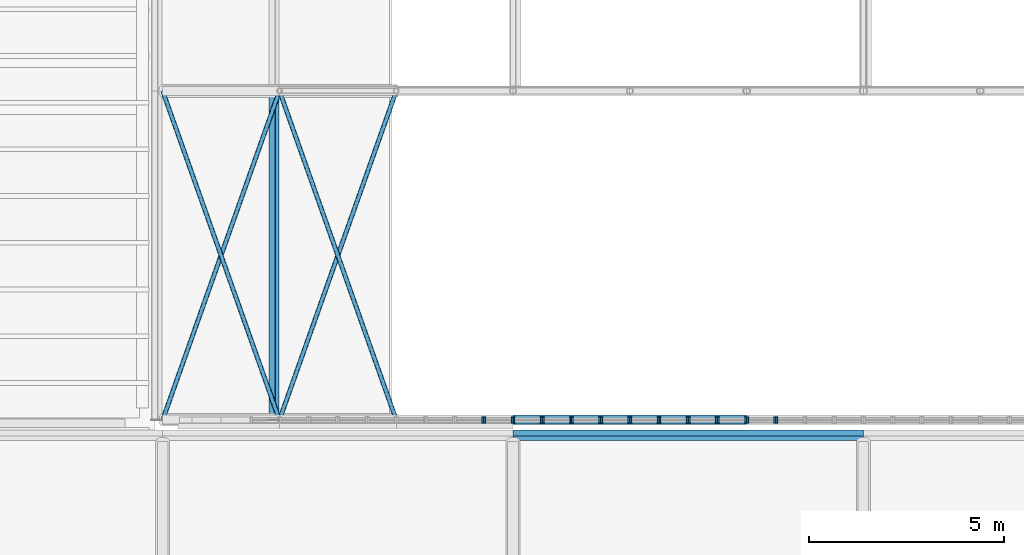
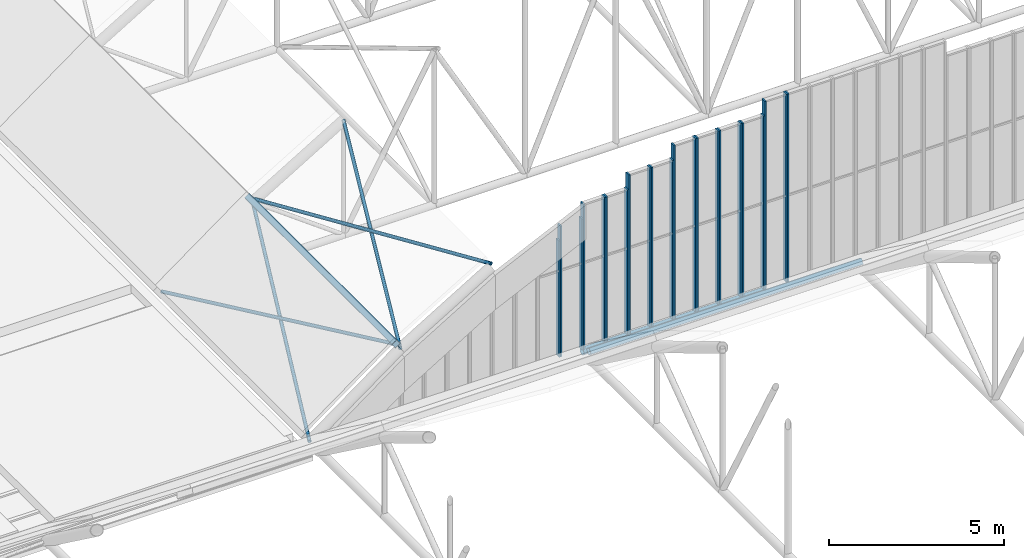
# One storey, part 67 of 153: 30 members, 12 elements without a shape of their own.
"""IFC4 building model written with IfcOpenShell, lengths in metres."""

import ifcopenshell
import ifcopenshell.guid

model = None  # the IFC model being written
_history = None  # IfcOwnerHistory: only IFC2X3 demands one
_inside = {}  # id of a spatial element -> (the spatial element, [elements in it])
_under = {}  # id of a project, library or spatial element -> (it, [spatial elements below it])
_declared = {}  # id of a project -> (the project, [libraries it declares])
_typed = {}  # id of a type object -> (the type object, [elements of that type])
_made_of = {}  # id of a material, layer set ... -> (it, [elements and type objects made of it])


def new_model(schema):
    """Start an empty IFC model of exactly this schema.

    Asked for "IFC4X3", IfcOpenShell would pick the latest addendum, in which some entities
    have other attributes; the version numbers below select the first issue.
    IFC2X3 requires an IfcOwnerHistory on every rooted entity: one is made here for all.
    """
    global model, _history
    if schema == "IFC4X3":
        model = ifcopenshell.file(schema_version=(4, 3, 0, 0))
    else:
        model = ifcopenshell.file(schema=schema)
    _inside.clear()
    _under.clear()
    _declared.clear()
    _typed.clear()
    _made_of.clear()
    _history = None
    if model.schema == "IFC2X3":
        org = make("IfcOrganization", Name="unknown")
        user = make(
            "IfcPersonAndOrganization",
            ThePerson=make("IfcPerson", FamilyName="unknown"),
            TheOrganization=org,
        )
        app = make(
            "IfcApplication",
            ApplicationDeveloper=org,
            Version="unknown",
            ApplicationFullName="unknown",
            ApplicationIdentifier="unknown",
        )
        _history = make(
            "IfcOwnerHistory",
            OwningUser=user,
            OwningApplication=app,
            ChangeAction="ADDED",
            CreationDate=0,
        )
    return model


def make(cls, **values):
    """One entity of the class cls with the attributes given. An attribute that is None is left unset."""
    return model.create_entity(
        cls, **{name: value for name, value in values.items() if value is not None}
    )


def rooted(cls, **values):
    """An entity with a GlobalId (a new one), such as an element, a storey or a relation."""
    return make(cls, GlobalId=ifcopenshell.guid.new(), OwnerHistory=_history, **values)


def si_unit(unit_type, name, prefix=None):
    """IfcSIUnit, for example si_unit("LENGTHUNIT", "METRE", prefix="MILLI")."""
    return make("IfcSIUnit", UnitType=unit_type, Prefix=prefix, Name=name)


def assignment(units):
    """IfcUnitAssignment: the units of a project."""
    return None if units is None else make("IfcUnitAssignment", Units=units)


def point(xyz):
    """IfcCartesianPoint."""
    return None if xyz is None else make("IfcCartesianPoint", Coordinates=xyz)


def direction(xyz):
    """IfcDirection."""
    return None if xyz is None else make("IfcDirection", DirectionRatios=xyz)


def frame(location, z_axis=None, x_axis=None):
    """IfcAxis2Placement3D, a coordinate frame: its origin and axes. An axis left out is left unset."""
    return make(
        "IfcAxis2Placement3D",
        Location=point(location),
        Axis=direction(z_axis),
        RefDirection=direction(x_axis),
    )


def frame_2d(location, x_axis=None):
    """IfcAxis2Placement2D, a coordinate frame in the plane: its origin and x axis."""
    return make(
        "IfcAxis2Placement2D", Location=point(location), RefDirection=direction(x_axis)
    )


def origin():
    """The frame at (0, 0, 0) with its axes left unset."""
    return frame((0.0, 0.0, 0.0))


def origin_2d():
    """The frame at (0, 0) in the plane with its x axis left unset."""
    return frame_2d((0.0, 0.0))


def place(relative_to, where):
    """IfcLocalPlacement: puts the frame where relative to a parent placement (None: the world)."""
    return make(
        "IfcLocalPlacement", PlacementRelTo=relative_to, RelativePlacement=where
    )


def context(
    kind, dimensions, precision=None, world=None, true_north=None, identifier=None
):
    """IfcGeometricRepresentationContext, for example the 3D "Model" context."""
    return make(
        "IfcGeometricRepresentationContext",
        ContextIdentifier=identifier,
        ContextType=kind,
        CoordinateSpaceDimension=dimensions,
        Precision=precision,
        WorldCoordinateSystem=world,
        TrueNorth=true_north,
    )


def subcontext(parent, identifier, kind, view, scale=None):
    """IfcGeometricRepresentationSubContext, for example "Body" below "Model"."""
    return make(
        "IfcGeometricRepresentationSubContext",
        ContextIdentifier=identifier,
        ContextType=kind,
        ParentContext=parent,
        TargetScale=scale,
        TargetView=view,
    )


def project(units=None, contexts=None):
    """IfcProject with its units and contexts."""
    return rooted(
        "IfcProject",
        Name="project",
        RepresentationContexts=contexts,
        UnitsInContext=assignment(units),
    )


def spatial(cls, under=None, at=None, **own):
    """A site, building, storey or space (cls), placed at a placement, below another one or the project."""
    s = rooted(cls, ObjectPlacement=at, **own)
    if under is not None:
        _under.setdefault(under.id(), (under, []))[1].append(s)
    return s


def profile(cls, at=None, kind="AREA", **sizes):
    """A parametric profile (cls). Its sizes go by their IFC names, for example OverallWidth=200.0."""
    return make(cls, ProfileType=kind, Position=at, **sizes)


def rectangle(**sizes):
    """IfcRectangleProfileDef."""
    return profile("IfcRectangleProfileDef", **sizes)


def hollow_rectangle(**sizes):
    """IfcRectangleHollowProfileDef."""
    return profile("IfcRectangleHollowProfileDef", **sizes)


def hollow_circle(**sizes):
    """IfcCircleHollowProfileDef."""
    return profile("IfcCircleHollowProfileDef", **sizes)


def extrude(swept, where, along, depth):
    """IfcExtrudedAreaSolid: the profile swept, set in the frame where, extruded along a direction by depth."""
    return make(
        "IfcExtrudedAreaSolid",
        SweptArea=swept,
        Position=where,
        ExtrudedDirection=direction(along),
        Depth=depth,
    )


def shape(context_of_items, identifier, shape_type, items):
    """IfcShapeRepresentation: the items that make up one representation, for example the "Body"."""
    return make(
        "IfcShapeRepresentation",
        ContextOfItems=context_of_items,
        RepresentationIdentifier=identifier,
        RepresentationType=shape_type,
        Items=items,
    )


def material(Name=None, Category=None):
    """IfcMaterial."""
    return make("IfcMaterial", Name=Name, Category=Category)


def material_profile(
    of_material, cross_section, Name=None, Category=None, Priority=None
):
    """IfcMaterialProfile: a cross section and its material."""
    return make(
        "IfcMaterialProfile",
        Name=Name,
        Material=of_material,
        Profile=cross_section,
        Priority=Priority,
        Category=Category,
    )


def profile_set(profiles, Name=None, composite=None):
    """IfcMaterialProfileSet."""
    return make(
        "IfcMaterialProfileSet",
        Name=Name,
        MaterialProfiles=profiles,
        CompositeProfile=composite,
    )


def made_of(thing, what):
    """Note that an element or type object is made of a material, layer set ...; save() writes the relation."""
    if what is not None:
        _made_of.setdefault(what.id(), (what, []))[1].append(thing)
    return thing


def type_object(cls, material=None, **own):
    """A type object (cls), such as IfcWallType, which elements share."""
    return made_of(rooted(cls, **own), material)


def element(
    cls,
    number,
    at=None,
    inside=None,
    cuts=None,
    type_object=None,
    material=None,
    context=None,
    identifier="Body",
    shape_type=None,
    held_by="IfcProductDefinitionShape",
    body=None,
    shapes=None,
    **own,
):
    """One element of the class cls, such as IfcWall. Its Tag is "e" and its number.

    at: its placement. inside: the storey or other place that contains it. cuts: it is an
    opening in that element (IfcRelVoidsElement). A single representation is given by context,
    identifier, shape_type and body (its items); several are given by shapes. held_by: the class
    of the entity that holds the representations. save() writes the other relations.
    """
    e = rooted(cls, Tag="e%d" % number, ObjectPlacement=at, **own)
    if body is not None:
        shapes = [shape(context, identifier, shape_type, body)]
    if shapes is not None:
        e.Representation = make(held_by, Representations=shapes)
    if inside is not None:
        _inside.setdefault(inside.id(), (inside, []))[1].append(e)
    if cuts is not None:
        rooted(
            "IfcRelVoidsElement", RelatingBuildingElement=cuts, RelatedOpeningElement=e
        )
    if type_object is not None:
        _typed.setdefault(type_object.id(), (type_object, []))[1].append(e)
    return made_of(e, material)


def aggregate(whole, parts):
    """IfcRelAggregates: a whole, such as a stair, and the parts it consists of."""
    return rooted("IfcRelAggregates", RelatingObject=whole, RelatedObjects=parts)


def save(model, path):
    """Write the relations noted so far, then the file.

    IfcRelAggregates (storeys below a building ...), IfcRelContainedInSpatialStructure (elements
    in a storey), IfcRelDefinesByType, IfcRelAssociatesMaterial and IfcRelDeclares: one each for
    every whole, place, type object, material and project.
    """
    for whole, parts in _under.values():
        aggregate(whole, parts)
    for where, things in _inside.values():
        rooted(
            "IfcRelContainedInSpatialStructure",
            RelatedElements=things,
            RelatingStructure=where,
        )
    for kind, things in _typed.values():
        rooted("IfcRelDefinesByType", RelatedObjects=things, RelatingType=kind)
    for what, things in _made_of.values():
        rooted("IfcRelAssociatesMaterial", RelatedObjects=things, RelatingMaterial=what)
    for by, libraries in _declared.values():
        rooted("IfcRelDeclares", RelatingContext=by, RelatedDefinitions=libraries)
    model.write(path)


model = new_model("IFC4")

# Units and contexts
model_context = context("Model", 3, precision=1e-05, world=origin(), true_north=direction((0.0, 1.0)))
body_context = subcontext(model_context, "Body", "Model", "MODEL_VIEW")
ifc_project = project(units=[si_unit("LENGTHUNIT", "METRE"), si_unit("AREAUNIT", "SQUARE_METRE"), si_unit("VOLUMEUNIT", "CUBIC_METRE"), si_unit("PLANEANGLEUNIT", "RADIAN"), si_unit("MASSUNIT", "GRAM", prefix="KILO")], contexts=[model_context])

# Site, building, storey
site_placement = place(None, origin())
site = spatial("IfcSite", under=ifc_project, at=site_placement, CompositionType="ELEMENT")
building_placement = place(site_placement, origin())
building = spatial("IfcBuilding", under=site, at=building_placement, Name="Baradari Gate Terminus", CompositionType="ELEMENT")
storey_placement = place(building_placement, frame((0.0, 0.0, 11.699951171875)))
storey = spatial("IfcBuildingStorey", under=building, at=storey_placement, Name="L02", CompositionType="ELEMENT", Elevation=11.699951171875)

# Curtain wall, member
ifc_material_1 = material(Name="Aluminium 6063-T6", Category="aluminium")
curtain_wall_type = type_object("IfcCurtainWallType", Name="Curtain wall CW-60 hall gable glazing", PredefinedType="NOTDEFINED", material=ifc_material_1)
curtain_wall_1_placement = place(storey_placement, origin())
curtain_wall_1 = element("IfcCurtainWall", 1, at=curtain_wall_1_placement, inside=storey, type_object=curtain_wall_type, Name="Hall gable glazing S11", PredefinedType="NOTDEFINED")
ifc_material_2 = material(Name="Aluminium 6063-T6", Category="aluminium")
ifc_material_profile_1 = material_profile(ifc_material_2, rectangle(XDim=0.175048828125, YDim=0.050048828125, at=origin_2d()), Name="CM-60 50X175")
ifc_profile_set_1 = profile_set([ifc_material_profile_1], Name="Aluminium 6063-T6")
member_type_1 = type_object("IfcMemberType", Name="Curtain wall mullion CM-60 50x175", PredefinedType="MULLION", material=ifc_profile_set_1)
member_1_placement = place(storey_placement, frame((143.22509765625, 81.550048828125, 0.234619140625), z_axis=(0.0, 0.0, 1.0), x_axis=(0.0, 1.0, 0.0)))
member_1 = element("IfcMember", 2, at=member_1_placement, type_object=member_type_1, Name="CW-60 mullion 2", PredefinedType="MULLION", context=body_context, shape_type="SweptSolid", body=[
    extrude(rectangle(XDim=0.175048828125, YDim=0.050048828125, at=origin_2d()), origin(), (0.0, 0.0, 1.0), 4.0654296875),
])
aggregate(curtain_wall_1, [member_1])

# Curtain wall, members
curtain_wall_2_placement = place(storey_placement, origin())
curtain_wall_2 = element("IfcCurtainWall", 3, at=curtain_wall_2_placement, inside=storey, type_object=curtain_wall_type, Name="Hall gable glazing S12", PredefinedType="NOTDEFINED")
member_2_placement = place(storey_placement, frame((143.27490234375, 81.550048828125, 0.234619140625), z_axis=(0.0, 0.0, 1.0), x_axis=(0.0, 1.0, 0.0)))
member_2 = element("IfcMember", 4, at=member_2_placement, type_object=member_type_1, Name="CW-60 mullion 1", PredefinedType="MULLION", context=body_context, shape_type="SweptSolid", body=[
    extrude(rectangle(XDim=0.175048828125, YDim=0.050048828125, at=origin_2d()), origin(), (0.0, 0.0, 1.0), 4.5654296875),
])
member_3_placement = place(storey_placement, frame((143.97509765625, 81.550048828125, 0.234619140625), z_axis=(0.0, 0.0, 1.0), x_axis=(0.0, 1.0, 0.0)))
member_3 = element("IfcMember", 5, at=member_3_placement, type_object=member_type_1, Name="CW-60 mullion 2", PredefinedType="MULLION", context=body_context, shape_type="SweptSolid", body=[
    extrude(rectangle(XDim=0.175048828125, YDim=0.050048828125, at=origin_2d()), origin(), (0.0, 0.0, 1.0), 4.5654296875),
])
aggregate(curtain_wall_2, [member_2, member_3])

curtain_wall_3_placement = place(storey_placement, origin())
curtain_wall_3 = element("IfcCurtainWall", 6, at=curtain_wall_3_placement, inside=storey, type_object=curtain_wall_type, Name="Hall gable glazing S13", PredefinedType="NOTDEFINED")
member_4_placement = place(storey_placement, frame((144.02490234375, 81.550048828125, 0.234619140625), z_axis=(0.0, 0.0, 1.0), x_axis=(0.0, 1.0, 0.0)))
member_4 = element("IfcMember", 7, at=member_4_placement, type_object=member_type_1, Name="CW-60 mullion 1", PredefinedType="MULLION", context=body_context, shape_type="SweptSolid", body=[
    extrude(rectangle(XDim=0.175048828125, YDim=0.050048828125, at=origin_2d()), origin(), (0.0, 0.0, 1.0), 5.0654296875),
])
member_5_placement = place(storey_placement, frame((144.72509765625, 81.550048828125, 0.234619140625), z_axis=(0.0, 0.0, 1.0), x_axis=(0.0, 1.0, 0.0)))
member_5 = element("IfcMember", 8, at=member_5_placement, type_object=member_type_1, Name="CW-60 mullion 2", PredefinedType="MULLION", context=body_context, shape_type="SweptSolid", body=[
    extrude(rectangle(XDim=0.175048828125, YDim=0.050048828125, at=origin_2d()), origin(), (0.0, 0.0, 1.0), 5.0654296875),
])
aggregate(curtain_wall_3, [member_4, member_5])

curtain_wall_4_placement = place(storey_placement, origin())
curtain_wall_4 = element("IfcCurtainWall", 9, at=curtain_wall_4_placement, inside=storey, type_object=curtain_wall_type, Name="Hall gable glazing S14", PredefinedType="NOTDEFINED")
member_6_placement = place(storey_placement, frame((144.77490234375, 81.550048828125, 0.234619140625), z_axis=(0.0, 0.0, 1.0), x_axis=(0.0, 1.0, 0.0)))
member_6 = element("IfcMember", 10, at=member_6_placement, type_object=member_type_1, Name="CW-60 mullion 1", PredefinedType="MULLION", context=body_context, shape_type="SweptSolid", body=[
    extrude(rectangle(XDim=0.175048828125, YDim=0.050048828125, at=origin_2d()), origin(), (0.0, 0.0, 1.0), 5.0654296875),
])
member_7_placement = place(storey_placement, frame((145.47509765625, 81.550048828125, 0.234619140625), z_axis=(0.0, 0.0, 1.0), x_axis=(0.0, 1.0, 0.0)))
member_7 = element("IfcMember", 11, at=member_7_placement, type_object=member_type_1, Name="CW-60 mullion 2", PredefinedType="MULLION", context=body_context, shape_type="SweptSolid", body=[
    extrude(rectangle(XDim=0.175048828125, YDim=0.050048828125, at=origin_2d()), origin(), (0.0, 0.0, 1.0), 5.0654296875),
])
aggregate(curtain_wall_4, [member_6, member_7])

curtain_wall_5_placement = place(storey_placement, origin())
curtain_wall_5 = element("IfcCurtainWall", 12, at=curtain_wall_5_placement, inside=storey, type_object=curtain_wall_type, Name="Hall gable glazing S15", PredefinedType="NOTDEFINED")
member_8_placement = place(storey_placement, frame((145.52490234375, 81.550048828125, 0.234619140625), z_axis=(0.0, 0.0, 1.0), x_axis=(0.0, 1.0, 0.0)))
member_8 = element("IfcMember", 13, at=member_8_placement, type_object=member_type_1, Name="CW-60 mullion 1", PredefinedType="MULLION", context=body_context, shape_type="SweptSolid", body=[
    extrude(rectangle(XDim=0.175048828125, YDim=0.050048828125, at=origin_2d()), origin(), (0.0, 0.0, 1.0), 5.5654296875),
])
member_9_placement = place(storey_placement, frame((146.22509765625, 81.550048828125, 0.234619140625), z_axis=(0.0, 0.0, 1.0), x_axis=(0.0, 1.0, 0.0)))
member_9 = element("IfcMember", 14, at=member_9_placement, type_object=member_type_1, Name="CW-60 mullion 2", PredefinedType="MULLION", context=body_context, shape_type="SweptSolid", body=[
    extrude(rectangle(XDim=0.175048828125, YDim=0.050048828125, at=origin_2d()), origin(), (0.0, 0.0, 1.0), 5.5654296875),
])
aggregate(curtain_wall_5, [member_8, member_9])

curtain_wall_6_placement = place(storey_placement, origin())
curtain_wall_6 = element("IfcCurtainWall", 15, at=curtain_wall_6_placement, inside=storey, type_object=curtain_wall_type, Name="Hall gable glazing S16", PredefinedType="NOTDEFINED")
member_10_placement = place(storey_placement, frame((146.27490234375, 81.550048828125, 0.234619140625), z_axis=(0.0, 0.0, 1.0), x_axis=(0.0, 1.0, 0.0)))
member_10 = element("IfcMember", 16, at=member_10_placement, type_object=member_type_1, Name="CW-60 mullion 1", PredefinedType="MULLION", context=body_context, shape_type="SweptSolid", body=[
    extrude(rectangle(XDim=0.175048828125, YDim=0.050048828125, at=origin_2d()), origin(), (0.0, 0.0, 1.0), 5.5654296875),
])
member_11_placement = place(storey_placement, frame((146.97509765625, 81.550048828125, 0.234619140625), z_axis=(0.0, 0.0, 1.0), x_axis=(0.0, 1.0, 0.0)))
member_11 = element("IfcMember", 17, at=member_11_placement, type_object=member_type_1, Name="CW-60 mullion 2", PredefinedType="MULLION", context=body_context, shape_type="SweptSolid", body=[
    extrude(rectangle(XDim=0.175048828125, YDim=0.050048828125, at=origin_2d()), origin(), (0.0, 0.0, 1.0), 5.5654296875),
])
aggregate(curtain_wall_6, [member_10, member_11])

curtain_wall_7_placement = place(storey_placement, origin())
curtain_wall_7 = element("IfcCurtainWall", 18, at=curtain_wall_7_placement, inside=storey, type_object=curtain_wall_type, Name="Hall gable glazing S17", PredefinedType="NOTDEFINED")
member_12_placement = place(storey_placement, frame((147.02490234375, 81.550048828125, 0.234619140625), z_axis=(0.0, 0.0, 1.0), x_axis=(0.0, 1.0, 0.0)))
member_12 = element("IfcMember", 19, at=member_12_placement, type_object=member_type_1, Name="CW-60 mullion 1", PredefinedType="MULLION", context=body_context, shape_type="SweptSolid", body=[
    extrude(rectangle(XDim=0.175048828125, YDim=0.050048828125, at=origin_2d()), origin(), (0.0, 0.0, 1.0), 6.0654296875),
])
member_13_placement = place(storey_placement, frame((147.72509765625, 81.550048828125, 0.234619140625), z_axis=(0.0, 0.0, 1.0), x_axis=(0.0, 1.0, 0.0)))
member_13 = element("IfcMember", 20, at=member_13_placement, type_object=member_type_1, Name="CW-60 mullion 2", PredefinedType="MULLION", context=body_context, shape_type="SweptSolid", body=[
    extrude(rectangle(XDim=0.175048828125, YDim=0.050048828125, at=origin_2d()), origin(), (0.0, 0.0, 1.0), 6.0654296875),
])
aggregate(curtain_wall_7, [member_12, member_13])

curtain_wall_8_placement = place(storey_placement, origin())
curtain_wall_8 = element("IfcCurtainWall", 21, at=curtain_wall_8_placement, inside=storey, type_object=curtain_wall_type, Name="Hall gable glazing S18", PredefinedType="NOTDEFINED")
member_14_placement = place(storey_placement, frame((147.77490234375, 81.550048828125, 0.234619140625), z_axis=(0.0, 0.0, 1.0), x_axis=(0.0, 1.0, 0.0)))
member_14 = element("IfcMember", 22, at=member_14_placement, type_object=member_type_1, Name="CW-60 mullion 1", PredefinedType="MULLION", context=body_context, shape_type="SweptSolid", body=[
    extrude(rectangle(XDim=0.175048828125, YDim=0.050048828125, at=origin_2d()), origin(), (0.0, 0.0, 1.0), 6.0654296875),
])
member_15_placement = place(storey_placement, frame((148.47509765625, 81.550048828125, 0.234619140625), z_axis=(0.0, 0.0, 1.0), x_axis=(0.0, 1.0, 0.0)))
member_15 = element("IfcMember", 23, at=member_15_placement, type_object=member_type_1, Name="CW-60 mullion 2", PredefinedType="MULLION", context=body_context, shape_type="SweptSolid", body=[
    extrude(rectangle(XDim=0.175048828125, YDim=0.050048828125, at=origin_2d()), origin(), (0.0, 0.0, 1.0), 6.0654296875),
])
aggregate(curtain_wall_8, [member_14, member_15])

curtain_wall_9_placement = place(storey_placement, origin())
curtain_wall_9 = element("IfcCurtainWall", 24, at=curtain_wall_9_placement, inside=storey, type_object=curtain_wall_type, Name="Hall gable glazing S19", PredefinedType="NOTDEFINED")
member_16_placement = place(storey_placement, frame((148.52490234375, 81.550048828125, 0.234619140625), z_axis=(0.0, 0.0, 1.0), x_axis=(0.0, 1.0, 0.0)))
member_16 = element("IfcMember", 25, at=member_16_placement, type_object=member_type_1, Name="CW-60 mullion 1", PredefinedType="MULLION", context=body_context, shape_type="SweptSolid", body=[
    extrude(rectangle(XDim=0.175048828125, YDim=0.050048828125, at=origin_2d()), origin(), (0.0, 0.0, 1.0), 6.0654296875),
])
member_17_placement = place(storey_placement, frame((149.22509765625, 81.550048828125, 0.234619140625), z_axis=(0.0, 0.0, 1.0), x_axis=(0.0, 1.0, 0.0)))
member_17 = element("IfcMember", 26, at=member_17_placement, type_object=member_type_1, Name="CW-60 mullion 2", PredefinedType="MULLION", context=body_context, shape_type="SweptSolid", body=[
    extrude(rectangle(XDim=0.175048828125, YDim=0.050048828125, at=origin_2d()), origin(), (0.0, 0.0, 1.0), 6.0654296875),
])
aggregate(curtain_wall_9, [member_16, member_17])

curtain_wall_10_placement = place(storey_placement, origin())
curtain_wall_10 = element("IfcCurtainWall", 27, at=curtain_wall_10_placement, inside=storey, type_object=curtain_wall_type, Name="Hall gable glazing S20", PredefinedType="NOTDEFINED")
member_18_placement = place(storey_placement, frame((149.27490234375, 81.550048828125, 0.234619140625), z_axis=(0.0, 0.0, 1.0), x_axis=(0.0, 1.0, 0.0)))
member_18 = element("IfcMember", 28, at=member_18_placement, type_object=member_type_1, Name="CW-60 mullion 1", PredefinedType="MULLION", context=body_context, shape_type="SweptSolid", body=[
    extrude(rectangle(XDim=0.175048828125, YDim=0.050048828125, at=origin_2d()), origin(), (0.0, 0.0, 1.0), 6.0654296875),
])
member_19_placement = place(storey_placement, frame((149.97509765625, 81.550048828125, 0.234619140625), z_axis=(0.0, 0.0, 1.0), x_axis=(0.0, 1.0, 0.0)))
member_19 = element("IfcMember", 29, at=member_19_placement, type_object=member_type_1, Name="CW-60 mullion 2", PredefinedType="MULLION", context=body_context, shape_type="SweptSolid", body=[
    extrude(rectangle(XDim=0.175048828125, YDim=0.050048828125, at=origin_2d()), origin(), (0.0, 0.0, 1.0), 6.0654296875),
])
aggregate(curtain_wall_10, [member_18, member_19])

curtain_wall_11_placement = place(storey_placement, origin())
curtain_wall_11 = element("IfcCurtainWall", 30, at=curtain_wall_11_placement, inside=storey, type_object=curtain_wall_type, Name="Hall gable glazing S21", PredefinedType="NOTDEFINED")
member_20_placement = place(storey_placement, frame((150.02490234375, 81.550048828125, 0.234619140625), z_axis=(0.0, 0.0, 1.0), x_axis=(0.0, 1.0, 0.0)))
member_20 = element("IfcMember", 31, at=member_20_placement, type_object=member_type_1, Name="CW-60 mullion 1", PredefinedType="MULLION", context=body_context, shape_type="SweptSolid", body=[
    extrude(rectangle(XDim=0.175048828125, YDim=0.050048828125, at=origin_2d()), origin(), (0.0, 0.0, 1.0), 6.5654296875),
])
member_21_placement = place(storey_placement, frame((150.72509765625, 81.550048828125, 0.234619140625), z_axis=(0.0, 0.0, 1.0), x_axis=(0.0, 1.0, 0.0)))
member_21 = element("IfcMember", 32, at=member_21_placement, type_object=member_type_1, Name="CW-60 mullion 2", PredefinedType="MULLION", context=body_context, shape_type="SweptSolid", body=[
    extrude(rectangle(XDim=0.175048828125, YDim=0.050048828125, at=origin_2d()), origin(), (0.0, 0.0, 1.0), 6.5654296875),
])
aggregate(curtain_wall_11, [member_20, member_21])

# Curtain wall, member
curtain_wall_12_placement = place(storey_placement, origin())
curtain_wall_12 = element("IfcCurtainWall", 33, at=curtain_wall_12_placement, inside=storey, type_object=curtain_wall_type, Name="Hall gable glazing S22", PredefinedType="NOTDEFINED")
member_22_placement = place(storey_placement, frame((150.77490234375, 81.550048828125, 0.234619140625), z_axis=(0.0, 0.0, 1.0), x_axis=(0.0, 1.0, 0.0)))
member_22 = element("IfcMember", 34, at=member_22_placement, type_object=member_type_1, Name="CW-60 mullion 1", PredefinedType="MULLION", context=body_context, shape_type="SweptSolid", body=[
    extrude(rectangle(XDim=0.175048828125, YDim=0.050048828125, at=origin_2d()), origin(), (0.0, 0.0, 1.0), 6.5654296875),
])
aggregate(curtain_wall_12, [member_22])

# Members
ifc_material_3 = material(Name="Steel S355", Category="steel")
ifc_material_profile_2 = material_profile(ifc_material_3, hollow_circle(Radius=0.122314453125, WallThickness=0.010009765625, at=origin_2d()), Name="CHS 244.5x10")
ifc_profile_set_2 = profile_set([ifc_material_profile_2], Name="Steel S355")
member_type_2 = type_object("IfcMemberType", Name="Hall vault tie CHS 244.5x10", PredefinedType="CHORD", material=ifc_profile_set_2)
for number, where, z_axis, x_axis, name in (
    (35, (144.0, 81.550048828125, 0.122314453125), (1.0, 0.0, 0.0), (0.0, 1.0, 0.0), "TR/L02/VT1-BC03"),
    (36, (147.0, 81.550048828125, 0.122314453125), (1.0, 0.0, 0.0), (0.0, 1.0, 0.0), "TR/L02/VT1-BC04"),
):
    element("IfcMember", number, at=place(storey_placement, frame(where, z_axis=z_axis, x_axis=x_axis)), inside=storey, type_object=member_type_2, Name=name, PredefinedType="CHORD", context=body_context, shape_type="SweptSolid", body=[
        extrude(hollow_circle(Radius=0.122314453125, WallThickness=0.010009765625, at=origin_2d()), origin(), (0.0, 0.0, 1.0), 3.0),
    ])
ifc_material_4 = material(Name="Steel S355", Category="steel")
ifc_material_profile_3 = material_profile(ifc_material_4, hollow_rectangle(XDim=0.199951171875, YDim=0.199951171875, WallThickness=0.008056640625, InnerFilletRadius=0.008056640625, OuterFilletRadius=0.01611328125, at=origin_2d()), Name="SHS 200x200x8")
ifc_profile_set_3 = profile_set([ifc_material_profile_3], Name="Steel S355")
member_type_3 = type_object("IfcMemberType", Name="Shed purlin SHS 200x200x8", PredefinedType="PURLIN", material=ifc_profile_set_3)
member_23_placement = place(storey_placement, frame((144.0, 81.1572265625, 0.350830078125), z_axis=(1.0, 0.0, 0.0), x_axis=(0.0, 0.80640499586, -0.591363663621)))
element("IfcMember", 37, at=member_23_placement, inside=storey, type_object=member_type_3, Name="TR/L02/B153-PU12", PredefinedType="PURLIN", context=body_context, shape_type="SweptSolid", body=[
    extrude(hollow_rectangle(XDim=0.199951171875, YDim=0.199951171875, WallThickness=0.008056640625, InnerFilletRadius=0.008056640625, OuterFilletRadius=0.01611328125, at=origin_2d()), origin(), (0.0, 0.0, 1.0), 9.0),
])
member_24_placement = place(storey_placement, frame((137.861572265625, 81.550048828125, 2.530517578125), z_axis=(0.0, 1.0, 0.0), x_axis=(-0.832836263724, 0.0, -0.55351942859)))
element("IfcMember", 38, at=member_24_placement, inside=storey, type_object=member_type_3, Name="TR/L02/VP1-PU01", PredefinedType="PURLIN", context=body_context, shape_type="SweptSolid", body=[
    extrude(hollow_rectangle(XDim=0.199951171875, YDim=0.199951171875, WallThickness=0.008056640625, InnerFilletRadius=0.008056640625, OuterFilletRadius=0.01611328125, at=origin_2d()), origin(), (0.0, 0.0, 1.0), 8.449951171875),
])
ifc_material_5 = material(Name="Steel S355", Category="steel")
ifc_material_profile_4 = material_profile(ifc_material_5, hollow_circle(Radius=0.05712890625, WallThickness=0.00634765625, at=origin_2d()), Name="CHS 114.3x6.3")
ifc_profile_set_4 = profile_set([ifc_material_profile_4], Name="Steel S355")
member_type_4 = type_object("IfcMemberType", Name="Shed roof brace CHS 114.3x6.3", PredefinedType="BRACE", material=ifc_profile_set_4)
for number, where, z_axis, x_axis, name in (
    (39, (135.0, 81.550048828125, 0.122314453125), (0.324934492429, 0.915226865026, 0.2382800058), (-0.942370433144, 0.334571317861, 0.0), "TR/L02/VPB1-RB00A"),
    (40, (138.0, 81.550048828125, 2.4365234375), (-0.324934492429, 0.915226865026, -0.2382800058), (-0.942370433144, -0.334571317861, 0.0), "TR/L02/VPB1-RB00B"),
):
    element("IfcMember", number, at=place(storey_placement, frame(where, z_axis=z_axis, x_axis=x_axis)), inside=storey, type_object=member_type_4, Name=name, PredefinedType="BRACE", context=body_context, shape_type="SweptSolid", body=[
        extrude(hollow_circle(Radius=0.05712890625, WallThickness=0.00634765625, at=origin_2d()), origin(), (0.0, 0.0, 1.0), 9.232666015625),
    ])
for number, where, z_axis, x_axis, name in (
    (41, (138.0, 81.550048828125, 2.322265625), (0.328026883744, 0.923937050233, 0.196821469226), (-0.942370433144, 0.334571317861, 0.0), "TR/L02/VPB1-RB01A"),
    (42, (141.0, 81.550048828125, 4.236572265625), (-0.328026883744, 0.923937050233, -0.196821469226), (-0.942370433144, -0.334571317861, 0.0), "TR/L02/VPB1-RB01B"),
):
    element("IfcMember", number, at=place(storey_placement, frame(where, z_axis=z_axis, x_axis=x_axis)), inside=storey, type_object=member_type_4, Name=name, PredefinedType="BRACE", context=body_context, shape_type="SweptSolid", body=[
        extrude(hollow_circle(Radius=0.05712890625, WallThickness=0.00634765625, at=origin_2d()), origin(), (0.0, 0.0, 1.0), 9.1455078125),
    ])

save(model, "model.ifc")
